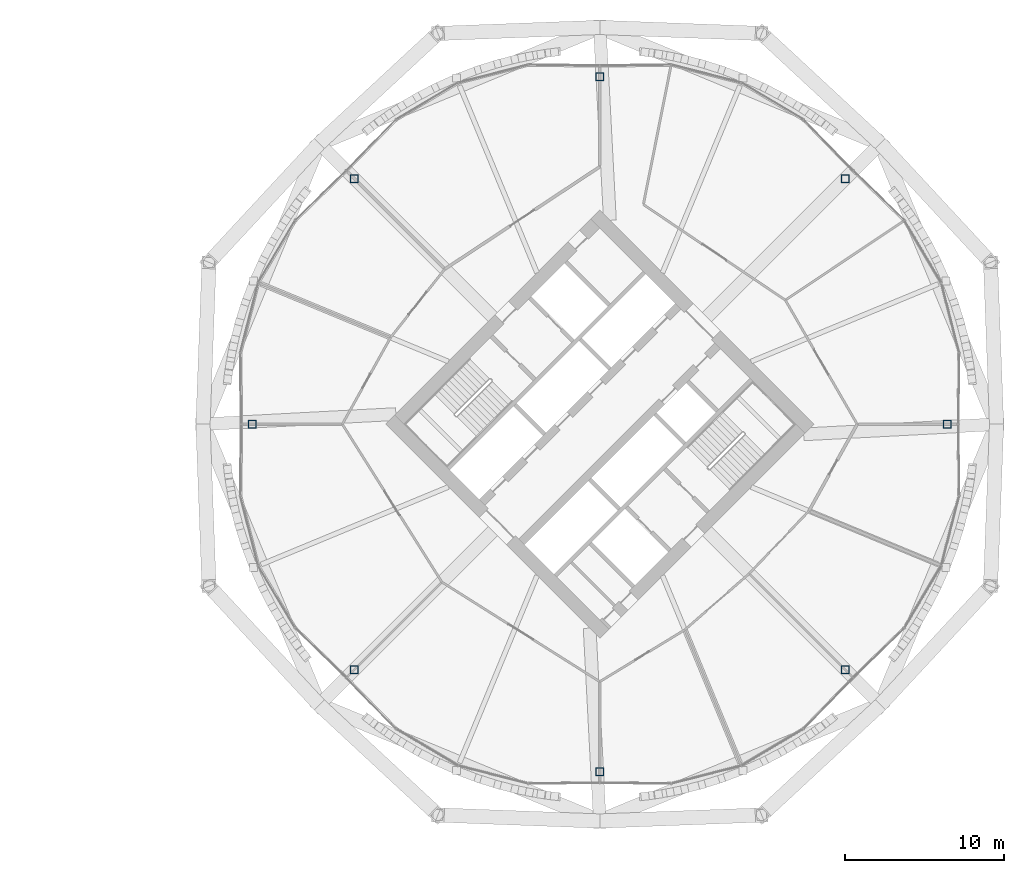
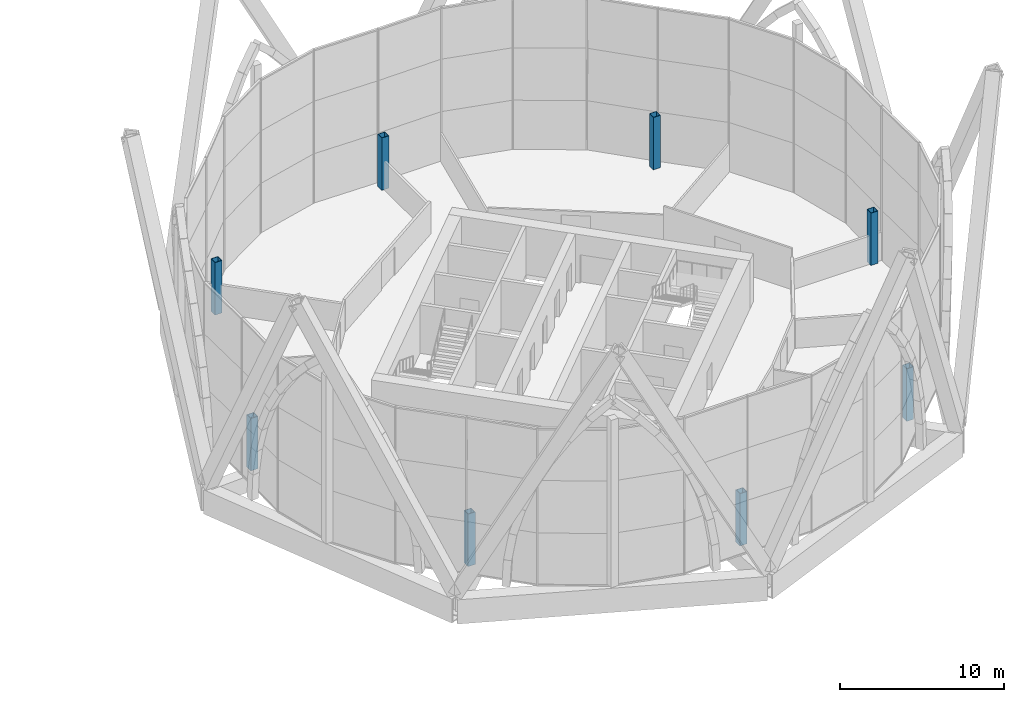
# One storey, part 2 of 37: 8 columns.
"""IFC4 building model written with IfcOpenShell, lengths in metres."""

from ifc_helpers import new_model, si_unit, direction, frame, origin, origin_2d, place, context, subcontext, project, spatial, hollow_rectangle, extrude, material, material_profile, profile_set, type_object, element, save


model = new_model("IFC4")

# Units and contexts
model_context = context("Model", 3, precision=1e-05, world=origin(), true_north=direction((0.0, 1.0)))
body_context = subcontext(model_context, "Body", "Model", "MODEL_VIEW")
ifc_project = project(units=[si_unit("LENGTHUNIT", "METRE"), si_unit("AREAUNIT", "SQUARE_METRE"), si_unit("VOLUMEUNIT", "CUBIC_METRE"), si_unit("PLANEANGLEUNIT", "RADIAN"), si_unit("MASSUNIT", "GRAM", prefix="KILO")], contexts=[model_context])

# Site, building, storey
site_placement = place(None, origin())
site = spatial("IfcSite", under=ifc_project, at=site_placement, CompositionType="ELEMENT")
building_placement = place(site_placement, origin())
building = spatial("IfcBuilding", under=site, at=building_placement, Name="Ogive Gate Towers", CompositionType="ELEMENT")
storey_placement = place(building_placement, frame((0.0, 0.0, 32.39990234375)))
storey = spatial("IfcBuildingStorey", under=building, at=storey_placement, Name="L06", CompositionType="ELEMENT", Elevation=32.39990234375)

# Columns
ifc_material = material(Name="Steel SM460", Category="steel")
ifc_material_profile = material_profile(ifc_material, hollow_rectangle(XDim=0.5, YDim=0.5, WallThickness=0.030029296875, at=origin_2d()), Name="BX 500x500x30")
ifc_profile_set = profile_set([ifc_material_profile], Name="Steel SM460")
column_type = type_object("IfcColumnType", Name="Perimeter post BX 500x500x30", PredefinedType="COLUMN", material=ifc_profile_set)
for number, where, z_axis, x_axis, name in (
    (1, (57.81005859375, 0.0, 0.0), (0.0, 0.0, 1.0), (1.0, 0.0, 0.0), "T2/L06/SCL001"),
    (2, (51.422119140625, 15.422119140625, 0.0), (0.0, 0.0, 1.0), (1.0, 0.0, 0.0), "T2/L06/SCL002"),
    (3, (36.0, 21.81005859375, 0.0), (0.0, 0.0, 1.0), (1.0, 0.0, 0.0), "T2/L06/SCL003"),
    (4, (20.577880859375, 15.422119140625, 0.0), (0.0, 0.0, 1.0), (1.0, 0.0, 0.0), "T2/L06/SCL004"),
    (5, (14.18994140625, 0.0, 0.0), (0.0, 0.0, 1.0), (1.0, 0.0, 0.0), "T2/L06/SCL005"),
    (6, (20.577880859375, -15.422119140625, 0.0), (0.0, 0.0, 1.0), (1.0, 0.0, 0.0), "T2/L06/SCL006"),
    (7, (36.0, -21.81005859375, 0.0), (0.0, 0.0, 1.0), (1.0, 0.0, 0.0), "T2/L06/SCL007"),
    (8, (51.422119140625, -15.422119140625, 0.0), (0.0, 0.0, 1.0), (1.0, 0.0, 0.0), "T2/L06/SCL008"),
):
    element("IfcColumn", number, at=place(storey_placement, frame(where, z_axis=z_axis, x_axis=x_axis)), inside=storey, type_object=column_type, Name=name, PredefinedType="COLUMN", context=body_context, shape_type="SweptSolid", body=[
        extrude(hollow_rectangle(XDim=0.5, YDim=0.5, WallThickness=0.030029296875, at=origin_2d()), origin(), (0.0, 0.0, 1.0), 3.900146484375),
    ])

save(model, "model.ifc")
